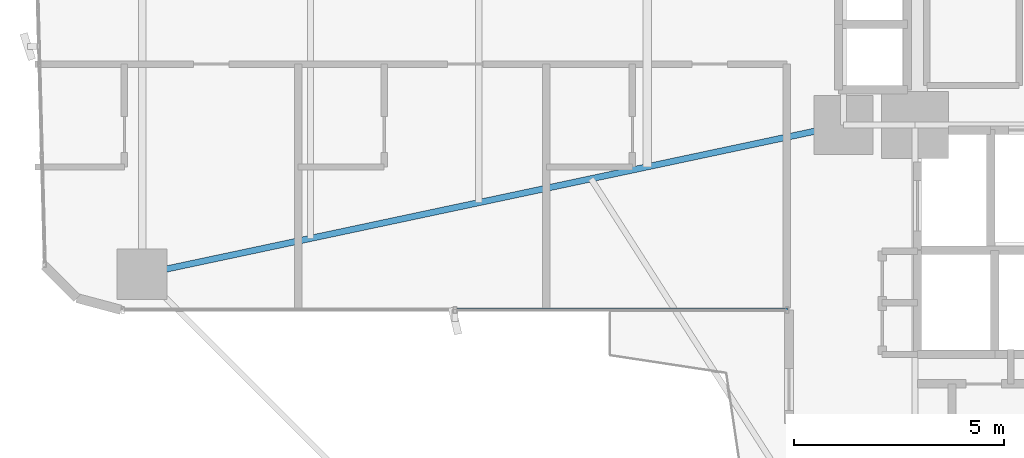
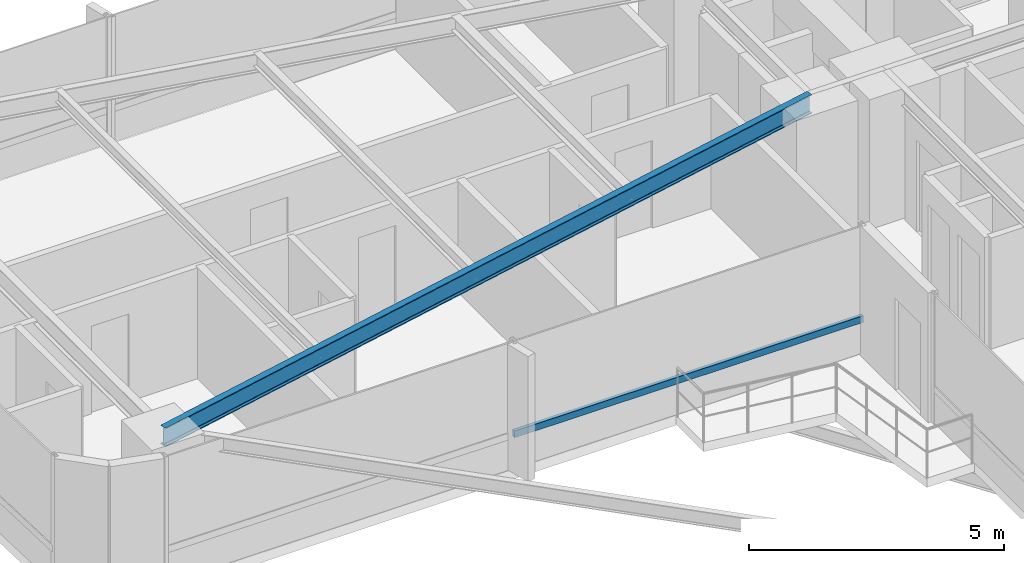
# One storey, part 7 of 25: 1 beam, 1 member, 1 element without a shape of its own.
"""IFC4 building model written with IfcOpenShell, lengths in metres."""

from ifc_helpers import new_model, si_unit, direction, frame, origin, origin_2d, place, context, subcontext, project, spatial, hollow_rectangle, i_section, extrude, source, transform, mapped, material, material_profile, profile_set, type_object, element, aggregate, save


model = new_model("IFC4")

# Units and contexts
model_context = context("Model", 3, precision=1e-05, world=origin(), true_north=direction((0.0, 1.0)))
body_context = subcontext(model_context, "Body", "Model", "MODEL_VIEW")
ifc_project = project(units=[si_unit("LENGTHUNIT", "METRE"), si_unit("AREAUNIT", "SQUARE_METRE"), si_unit("VOLUMEUNIT", "CUBIC_METRE"), si_unit("PLANEANGLEUNIT", "RADIAN"), si_unit("MASSUNIT", "GRAM", prefix="KILO")], contexts=[model_context])

# Site, building, storey
site_placement = place(None, origin())
site = spatial("IfcSite", under=ifc_project, at=site_placement, CompositionType="ELEMENT")
building_placement = place(site_placement, origin())
building = spatial("IfcBuilding", under=site, at=building_placement, Name="Sahyath Konkavel Grand Hotel", CompositionType="ELEMENT")
storey_placement = place(building_placement, frame((0.0, 0.0, 33.14990234375)))
storey = spatial("IfcBuildingStorey", under=building, at=storey_placement, Name="L08", CompositionType="ELEMENT", Elevation=33.14990234375)

# Beam
ifc_material_1 = material(Name="Steel E350", Category="steel")
ifc_material_profile_1 = material_profile(ifc_material_1, i_section(OverallWidth=0.14990234375, OverallDepth=0.449951171875, WebThickness=0.009521484375, FlangeThickness=0.017333984375, FilletRadius=0.014892578125, at=origin_2d()), Name="ISMB 450")
ifc_profile_set_1 = profile_set([ifc_material_profile_1], Name="Steel E350")
beam_type = type_object("IfcBeamType", Name="BM-ISMB450", PredefinedType="BEAM", material=ifc_profile_set_1)
shared_shape_1 = source(origin(), body_context, "Body", "SweptSolid", [
    extrude(i_section(OverallWidth=0.14990234375, OverallDepth=0.449951171875, WebThickness=0.009521484375, FlangeThickness=0.017333984375, FilletRadius=0.014892578125, at=origin_2d()), origin(), (0.0, 0.0, 1.0), 17.072998046875),
])
beam_placement = place(storey_placement, frame((-5.5, -2.39990234375, 2.885009765625), z_axis=(-0.978143257225, -0.20793212437, 0.0), x_axis=(0.20793212437, -0.978143257225, 0.0)))
element("IfcBeam", 1, at=beam_placement, inside=storey, type_object=beam_type, Name="L08 Cruciform Radial Girder WB", PredefinedType="BEAM", context=body_context, shape_type="MappedRepresentation", body=[
    mapped(shared_shape_1, transform((0.0, 0.0, 0.0), scale=1.0)),
])

# Curtain wall, member
ifc_material_2 = material(Name="Anodised Bronze Aluminium & Low-E Glazing", Category="aluminium")
curtain_wall_type = type_object("IfcCurtainWallType", Name="CW-ZONE1", PredefinedType="NOTDEFINED", material=ifc_material_2)
curtain_wall_placement = place(storey_placement, origin())
curtain_wall = element("IfcCurtainWall", 2, at=curtain_wall_placement, inside=storey, type_object=curtain_wall_type, Name="L08 Unitised Curtain Wall F23", PredefinedType="NOTDEFINED")
ifc_material_3 = material(Name="Anodised Bronze Aluminium", Category="aluminium")
ifc_material_profile_2 = material_profile(ifc_material_3, hollow_rectangle(XDim=0.080078125, YDim=0.159912109375, WallThickness=0.006103515625, at=origin_2d()), Name="RHS 160x80x6")
ifc_profile_set_2 = profile_set([ifc_material_profile_2], Name="Anodised Bronze Aluminium")
member_type = type_object("IfcMemberType", Name="CW-TRN-160", PredefinedType="USERDEFINED", material=ifc_profile_set_2)
shared_shape_2 = source(origin(), body_context, "Body", "SweptSolid", [
    extrude(hollow_rectangle(XDim=0.080078125, YDim=0.159912109375, WallThickness=0.006103515625, at=origin_2d()), origin(), (0.0, 0.0, 1.0), 7.909912109375),
])
member_placement = place(storey_placement, frame((-14.75, -6.800048828125, 0.85009765625), z_axis=(1.0, 0.0, 0.0), x_axis=(0.0, 1.0, 0.0)))
member = element("IfcMember", 3, at=member_placement, type_object=member_type, Name="L08 Curtain Wall Transom F23-1-spandrel", ObjectType="TRANSOM", PredefinedType="USERDEFINED", context=body_context, shape_type="MappedRepresentation", body=[
    mapped(shared_shape_2, transform((0.0, 0.0, 0.0), scale=1.0)),
])
aggregate(curtain_wall, [member])

save(model, "model.ifc")
